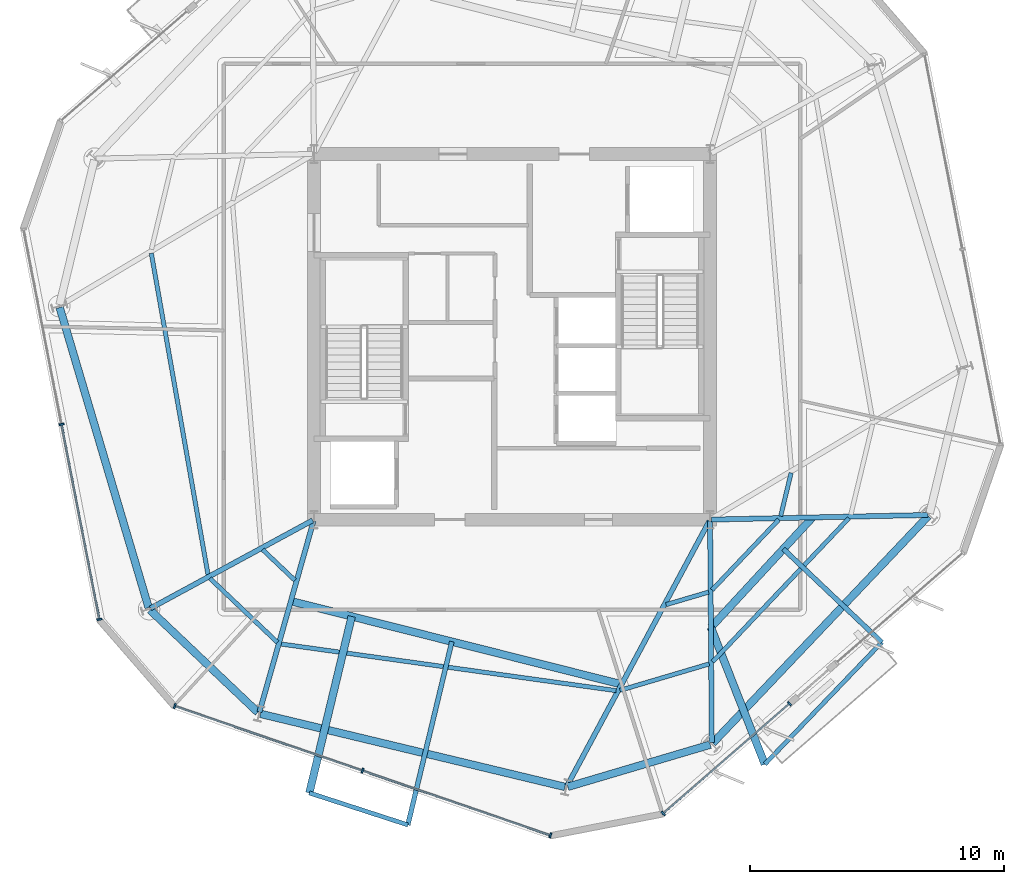
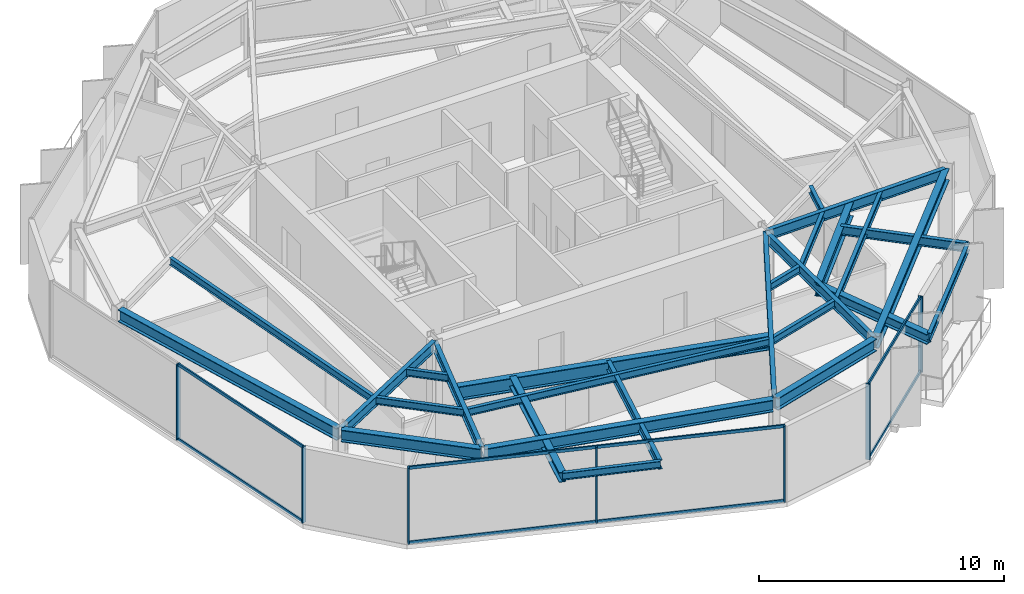
# One storey, part 2 of 11: 27 beams, 15 members, 3 elements without a shape of their own.
"""IFC4 building model written with IfcOpenShell, lengths in metres."""

from ifc_helpers import new_model, si_unit, direction, frame, origin, origin_2d, place, context, subcontext, project, spatial, rectangle, i_section, extrude, material, layer, layer_set, material_profile, profile_set, type_object, element, aggregate, save


model = new_model("IFC4")

# Units and contexts
model_context = context("Model", 3, precision=1e-05, world=origin(), true_north=direction((0.0, 1.0)))
body_context = subcontext(model_context, "Body", "Model", "MODEL_VIEW")
ifc_project = project(units=[si_unit("LENGTHUNIT", "METRE"), si_unit("AREAUNIT", "SQUARE_METRE"), si_unit("VOLUMEUNIT", "CUBIC_METRE"), si_unit("PLANEANGLEUNIT", "RADIAN"), si_unit("MASSUNIT", "GRAM", prefix="KILO")], contexts=[model_context])

# Site, building, storey
site_placement = place(None, origin())
site = spatial("IfcSite", under=ifc_project, at=site_placement, CompositionType="ELEMENT")
building_placement = place(site_placement, origin())
building = spatial("IfcBuilding", under=site, at=building_placement, Name="Kranzbogen Civic Tower", CompositionType="ELEMENT")
storey_placement = place(building_placement, frame((0.0, 0.0, 188.800048828125)))
storey = spatial("IfcBuildingStorey", under=building, at=storey_placement, Name="L45", CompositionType="ELEMENT", Elevation=188.800048828125)

# Beams
ifc_material_1 = material(Name="Steel S355", Category="steel")
ifc_material_profile_1 = material_profile(ifc_material_1, i_section(OverallWidth=0.18994140625, OverallDepth=0.449951171875, WebThickness=0.009521484375, FlangeThickness=0.0146484375, at=origin_2d()), Name="IPE 450")
ifc_profile_set_1 = profile_set([ifc_material_profile_1], Name="Steel S355")
beam_type_1 = type_object("IfcBeamType", Name="Braced Terrace Edge Beam IPE 450", PredefinedType="BEAM", material=ifc_profile_set_1)
beam_1_placement = place(storey_placement, frame((22.632080078125, 12.9951171875, 3.52490234375), z_axis=(-0.23347868336, -0.972361920489, 0.0), x_axis=(0.972361920489, -0.23347868336, 0.0)))
element("IfcBeam", 1, at=beam_1_placement, inside=storey, type_object=beam_type_1, Name="L46 back-spanned terrace beam L46-TB2-2", PredefinedType="BEAM", context=body_context, shape_type="SweptSolid", body=[
    extrude(i_section(OverallWidth=0.18994140625, OverallDepth=0.449951171875, WebThickness=0.009521484375, FlangeThickness=0.0146484375, at=origin_2d()), origin(), (0.0, 0.0, 1.0), 7.423095703125),
])
beam_2_placement = place(storey_placement, frame((35.68798828125, 16.64599609375, 3.494873046875), z_axis=(0.725309772451, -0.688422641977, 0.0), x_axis=(0.688422641977, 0.725309772451, 0.0)))
element("IfcBeam", 2, at=beam_2_placement, inside=storey, type_object=beam_type_1, Name="L46 back-spanned terrace beam L46-ST-2", PredefinedType="BEAM", context=body_context, shape_type="SweptSolid", body=[
    extrude(i_section(OverallWidth=0.18994140625, OverallDepth=0.449951171875, WebThickness=0.009521484375, FlangeThickness=0.0146484375, at=origin_2d()), origin(), (0.0, 0.0, 1.0), 5.34130859375),
])

# Curtain wall, members
ifc_material_2 = material(Name="Pale Anodised Aluminium", Category="aluminium")
ifc_layer = layer(ifc_material_2, 0.219970703125, Name="Pale Anodised Aluminium")
ifc_layer_set = layer_set([ifc_layer], Name="Pale Anodised Aluminium")
curtain_wall_type = type_object("IfcCurtainWallType", Name="Zone 3 Stick Curtain Wall System CW-04", PredefinedType="USERDEFINED", material=ifc_layer_set)
curtain_wall_1_placement = place(storey_placement, origin())
curtain_wall_1 = element("IfcCurtainWall", 3, at=curtain_wall_1_placement, inside=storey, type_object=curtain_wall_type, Name="L45 curtain wall CW-L45-F3", ObjectType="STICK CURTAIN WALL", PredefinedType="USERDEFINED")
ifc_material_profile_2 = material_profile(ifc_material_2, rectangle(XDim=0.070068359375, YDim=0.199951171875, at=origin_2d()), Name="ALU-M 70x200")
ifc_profile_set_2 = profile_set([ifc_material_profile_2], Name="Pale Anodised Aluminium")
member_type_1 = type_object("IfcMemberType", Name="Curtain Wall Mullion ALU-M 70x200", PredefinedType="MULLION", material=ifc_profile_set_2)
member_1_placement = place(storey_placement, frame((7.260498046875, 21.552001953125, 0.0), z_axis=(0.0, 0.0, 1.0), x_axis=(0.190787871215, -0.981631289333, 0.0)))
member_1 = element("IfcMember", 4, at=member_1_placement, type_object=member_type_1, Name="CW-04 mullion 2", PredefinedType="MULLION", context=body_context, shape_type="SweptSolid", body=[
    extrude(rectangle(XDim=0.070068359375, YDim=0.199951171875, at=origin_2d()), origin(), (0.0, 0.0, 1.0), 3.780029296875),
])
member_2_placement = place(storey_placement, frame((8.753173828125, 13.871337890625, 0.0), z_axis=(0.0, 0.0, 1.0), x_axis=(0.190787871215, -0.981631289333, 0.0)))
member_2 = element("IfcMember", 5, at=member_2_placement, type_object=member_type_1, Name="CW-04 mullion 3", PredefinedType="MULLION", context=body_context, shape_type="SweptSolid", body=[
    extrude(rectangle(XDim=0.070068359375, YDim=0.199951171875, at=origin_2d()), origin(), (0.0, 0.0, 1.0), 3.780029296875),
])

curtain_wall_2_placement = place(storey_placement, origin())
curtain_wall_2 = element("IfcCurtainWall", 6, at=curtain_wall_2_placement, inside=storey, type_object=curtain_wall_type, Name="L45 curtain wall CW-L45-F4", ObjectType="STICK CURTAIN WALL", PredefinedType="USERDEFINED")
member_3_placement = place(storey_placement, frame((11.719482421875, 10.460205078125, 0.0), z_axis=(0.0, 0.0, 1.0), x_axis=(0.945510919871, -0.325590387457, 0.0)))
member_3 = element("IfcMember", 7, at=member_3_placement, type_object=member_type_1, Name="CW-04 mullion 1", PredefinedType="MULLION", context=body_context, shape_type="SweptSolid", body=[
    extrude(rectangle(XDim=0.070068359375, YDim=0.199951171875, at=origin_2d()), origin(), (0.0, 0.0, 1.0), 3.780029296875),
])
member_4_placement = place(storey_placement, frame((19.116455078125, 7.9130859375, 0.0), z_axis=(0.0, 0.0, 1.0), x_axis=(0.945510919871, -0.325590387457, 0.0)))
member_4 = element("IfcMember", 8, at=member_4_placement, type_object=member_type_1, Name="CW-04 mullion 2", PredefinedType="MULLION", context=body_context, shape_type="SweptSolid", body=[
    extrude(rectangle(XDim=0.070068359375, YDim=0.199951171875, at=origin_2d()), origin(), (0.0, 0.0, 1.0), 3.780029296875),
])
member_5_placement = place(storey_placement, frame((26.513671875, 5.36572265625, 0.0), z_axis=(0.0, 0.0, 1.0), x_axis=(0.945510919871, -0.325590387457, 0.0)))
member_5 = element("IfcMember", 9, at=member_5_placement, type_object=member_type_1, Name="CW-04 mullion 3", PredefinedType="MULLION", context=body_context, shape_type="SweptSolid", body=[
    extrude(rectangle(XDim=0.070068359375, YDim=0.199951171875, at=origin_2d()), origin(), (0.0, 0.0, 1.0), 3.780029296875),
])

curtain_wall_3_placement = place(storey_placement, origin())
curtain_wall_3 = element("IfcCurtainWall", 10, at=curtain_wall_3_placement, inside=storey, type_object=curtain_wall_type, Name="L45 curtain wall CW-L45-F5-S1", ObjectType="STICK CURTAIN WALL", PredefinedType="USERDEFINED")
member_6_placement = place(storey_placement, frame((30.95166015625, 6.228759765625, 0.0), z_axis=(0.0, 0.0, 1.0), x_axis=(0.754686413094, 0.656085678773, 0.0)))
member_6 = element("IfcMember", 11, at=member_6_placement, type_object=member_type_1, Name="CW-04 mullion 1", PredefinedType="MULLION", context=body_context, shape_type="SweptSolid", body=[
    extrude(rectangle(XDim=0.070068359375, YDim=0.199951171875, at=origin_2d()), origin(), (0.0, 0.0, 1.0), 3.780029296875),
])
member_7_placement = place(storey_placement, frame((35.92724609375, 10.55419921875, 0.0), z_axis=(0.0, 0.0, 1.0), x_axis=(0.754686413094, 0.656085678773, 0.0)))
member_7 = element("IfcMember", 12, at=member_7_placement, type_object=member_type_1, Name="CW-04 mullion 2", PredefinedType="MULLION", context=body_context, shape_type="SweptSolid", body=[
    extrude(rectangle(XDim=0.070068359375, YDim=0.199951171875, at=origin_2d()), origin(), (0.0, 0.0, 1.0), 3.780029296875),
])

# Member
ifc_material_profile_3 = material_profile(ifc_material_2, rectangle(XDim=0.070068359375, YDim=0.14990234375, at=origin_2d()), Name="ALU-T 70x150")
ifc_profile_set_3 = profile_set([ifc_material_profile_3], Name="Pale Anodised Aluminium")
member_type_2 = type_object("IfcMemberType", Name="Curtain Wall Transom ALU-T 70x150", PredefinedType="USERDEFINED", material=ifc_profile_set_3)
member_8_placement = place(storey_placement, frame((7.26611328125, 21.5224609375, 0.030029296875), z_axis=(0.190804011394, -0.981628152223, 0.0), x_axis=(0.981628152223, 0.190804011394, 0.0)))
member_8 = element("IfcMember", 13, at=member_8_placement, type_object=member_type_2, Name="CW-04 transom 2.1", ObjectType="TRANSOM", PredefinedType="USERDEFINED", context=body_context, shape_type="SweptSolid", body=[
    extrude(rectangle(XDim=0.070068359375, YDim=0.14990234375, at=origin_2d()), origin(), (0.0, 0.0, 1.0), 7.76416015625),
])

member_9_placement = place(storey_placement, frame((7.26611328125, 21.5224609375, 3.75), z_axis=(0.190804011394, -0.981628152223, 0.0), x_axis=(0.981628152223, 0.190804011394, 0.0)))
member_9 = element("IfcMember", 14, at=member_9_placement, type_object=member_type_2, Name="CW-04 transom 2.2", ObjectType="TRANSOM", PredefinedType="USERDEFINED", context=body_context, shape_type="SweptSolid", body=[
    extrude(rectangle(XDim=0.070068359375, YDim=0.14990234375, at=origin_2d()), origin(), (0.0, 0.0, 1.0), 7.76416015625),
])

aggregate(curtain_wall_1, [member_1, member_2, member_8, member_9])

member_10_placement = place(storey_placement, frame((11.747802734375, 10.450439453125, 0.030029296875), z_axis=(0.945514258152, -0.325580692964, 0.0), x_axis=(0.325580692964, 0.945514258152, 0.0)))
member_10 = element("IfcMember", 15, at=member_10_placement, type_object=member_type_2, Name="CW-04 transom 1.1", ObjectType="TRANSOM", PredefinedType="USERDEFINED", context=body_context, shape_type="SweptSolid", body=[
    extrude(rectangle(XDim=0.070068359375, YDim=0.14990234375, at=origin_2d()), origin(), (0.0, 0.0, 1.0), 7.763427734375),
])

member_11_placement = place(storey_placement, frame((11.747802734375, 10.450439453125, 3.75), z_axis=(0.945514258152, -0.325580692964, 0.0), x_axis=(0.325580692964, 0.945514258152, 0.0)))
member_11 = element("IfcMember", 16, at=member_11_placement, type_object=member_type_2, Name="CW-04 transom 1.2", ObjectType="TRANSOM", PredefinedType="USERDEFINED", context=body_context, shape_type="SweptSolid", body=[
    extrude(rectangle(XDim=0.070068359375, YDim=0.14990234375, at=origin_2d()), origin(), (0.0, 0.0, 1.0), 7.763427734375),
])

member_12_placement = place(storey_placement, frame((19.144775390625, 7.9033203125, 0.030029296875), z_axis=(0.945507910821, -0.325599125574, 0.0), x_axis=(0.325599125574, 0.945507910821, 0.0)))
member_12 = element("IfcMember", 17, at=member_12_placement, type_object=member_type_2, Name="CW-04 transom 2.1", ObjectType="TRANSOM", PredefinedType="USERDEFINED", context=body_context, shape_type="SweptSolid", body=[
    extrude(rectangle(XDim=0.070068359375, YDim=0.14990234375, at=origin_2d()), origin(), (0.0, 0.0, 1.0), 7.763671875),
])

member_13_placement = place(storey_placement, frame((19.144775390625, 7.9033203125, 3.75), z_axis=(0.945507910821, -0.325599125574, 0.0), x_axis=(0.325599125574, 0.945507910821, 0.0)))
member_13 = element("IfcMember", 18, at=member_13_placement, type_object=member_type_2, Name="CW-04 transom 2.2", ObjectType="TRANSOM", PredefinedType="USERDEFINED", context=body_context, shape_type="SweptSolid", body=[
    extrude(rectangle(XDim=0.070068359375, YDim=0.14990234375, at=origin_2d()), origin(), (0.0, 0.0, 1.0), 7.763671875),
])

aggregate(curtain_wall_2, [member_3, member_4, member_5, member_10, member_11, member_12, member_13])

member_14_placement = place(storey_placement, frame((30.974365234375, 6.248291015625, 0.030029296875), z_axis=(0.754677119087, 0.656096369389, 0.0), x_axis=(-0.656096369389, 0.754677119087, 0.0)))
member_14 = element("IfcMember", 19, at=member_14_placement, type_object=member_type_2, Name="CW-04 transom 1.1", ObjectType="TRANSOM", PredefinedType="USERDEFINED", context=body_context, shape_type="SweptSolid", body=[
    extrude(rectangle(XDim=0.070068359375, YDim=0.14990234375, at=origin_2d()), origin(), (0.0, 0.0, 1.0), 6.533203125),
])

member_15_placement = place(storey_placement, frame((30.974365234375, 6.248291015625, 3.75), z_axis=(0.754677119087, 0.656096369389, 0.0), x_axis=(-0.656096369389, 0.754677119087, 0.0)))
member_15 = element("IfcMember", 20, at=member_15_placement, type_object=member_type_2, Name="CW-04 transom 1.2", ObjectType="TRANSOM", PredefinedType="USERDEFINED", context=body_context, shape_type="SweptSolid", body=[
    extrude(rectangle(XDim=0.070068359375, YDim=0.14990234375, at=origin_2d()), origin(), (0.0, 0.0, 1.0), 6.533203125),
])

aggregate(curtain_wall_3, [member_6, member_7, member_14, member_15])

# Beams
ifc_material_profile_4 = material_profile(ifc_material_1, i_section(OverallWidth=0.300048828125, OverallDepth=0.5, WebThickness=0.014404296875, FlangeThickness=0.028076171875, at=origin_2d()), Name="HEB 500")
ifc_profile_set_4 = profile_set([ifc_material_profile_4], Name="Steel S355")
beam_type_2 = type_object("IfcBeamType", Name="Perimeter Tube Spandrel Beam HEB 500", PredefinedType="SPANDREL", material=ifc_profile_set_4)
beam_3_placement = place(storey_placement, frame((18.68798828125, 13.988037109375, 3.5), z_axis=(-0.233468537852, -0.972364356521, 0.0), x_axis=(0.972364356521, -0.233468537852, 0.0)))
element("IfcBeam", 21, at=beam_3_placement, inside=storey, type_object=beam_type_2, Name="L46 back-spanned terrace beam L46-TB2-1", PredefinedType="SPANDREL", context=body_context, shape_type="SweptSolid", body=[
    extrude(i_section(OverallWidth=0.300048828125, OverallDepth=0.5, WebThickness=0.014404296875, FlangeThickness=0.028076171875, at=origin_2d()), origin(), (0.0, 0.0, 1.0), 7.1484375),
])
beam_4_placement = place(storey_placement, frame((32.83203125, 13.555908203125, 3.469970703125), z_axis=(0.366691464546, -0.930342608843, 0.0), x_axis=(0.930342608843, 0.366691464546, 0.0)))
element("IfcBeam", 22, at=beam_4_placement, inside=storey, type_object=beam_type_2, Name="L46 back-spanned terrace beam L46-ST-1", PredefinedType="SPANDREL", context=body_context, shape_type="SweptSolid", body=[
    extrude(i_section(OverallWidth=0.300048828125, OverallDepth=0.5, WebThickness=0.014404296875, FlangeThickness=0.028076171875, at=origin_2d()), origin(), (0.0, 0.0, 1.0), 5.79248046875),
])
ifc_material_profile_5 = material_profile(ifc_material_1, i_section(OverallWidth=0.300048828125, OverallDepth=0.60009765625, WebThickness=0.015380859375, FlangeThickness=0.030029296875, at=origin_2d()), Name="HEB 600")
ifc_profile_set_5 = profile_set([ifc_material_profile_5], Name="Steel S355")
beam_type_3 = type_object("IfcBeamType", Name="Perimeter Tube Spandrel Beam HEB 600", PredefinedType="SPANDREL", material=ifc_profile_set_5)
beam_5_placement = place(storey_placement, frame((10.7509765625, 14.235107421875, 3.47998046875), z_axis=(0.725245206788, -0.688490660816, 0.0), x_axis=(0.688490660816, 0.725245206788, 0.0)))
element("IfcBeam", 23, at=beam_5_placement, inside=storey, type_object=beam_type_3, Name="L45 perimeter spandrel beam 01", PredefinedType="SPANDREL", context=body_context, shape_type="SweptSolid", body=[
    extrude(i_section(OverallWidth=0.300048828125, OverallDepth=0.60009765625, WebThickness=0.015380859375, FlangeThickness=0.030029296875, at=origin_2d()), origin(), (0.0, 0.0, 1.0), 5.85205078125),
])
beam_6_placement = place(storey_placement, frame((15.096923828125, 10.15087890625, 3.47998046875), z_axis=(0.972377592092, -0.233413406637, 0.0), x_axis=(0.233413406637, 0.972377592092, 0.0)))
element("IfcBeam", 24, at=beam_6_placement, inside=storey, type_object=beam_type_3, Name="L45 perimeter spandrel beam 02", PredefinedType="SPANDREL", context=body_context, shape_type="SweptSolid", body=[
    extrude(i_section(OverallWidth=0.300048828125, OverallDepth=0.60009765625, WebThickness=0.015380859375, FlangeThickness=0.030029296875, at=origin_2d()), origin(), (0.0, 0.0, 1.0), 12.32568359375),
])
beam_7_placement = place(storey_placement, frame((27.197998046875, 7.277099609375, 3.47998046875), z_axis=(0.9588296723, 0.283981794341, 0.0), x_axis=(-0.283981794341, 0.9588296723, 0.0)))
element("IfcBeam", 25, at=beam_7_placement, inside=storey, type_object=beam_type_3, Name="L45 perimeter spandrel beam 03", PredefinedType="SPANDREL", context=body_context, shape_type="SweptSolid", body=[
    extrude(i_section(OverallWidth=0.300048828125, OverallDepth=0.60009765625, WebThickness=0.015380859375, FlangeThickness=0.030029296875, at=origin_2d()), origin(), (0.0, 0.0, 1.0), 5.85205078125),
])
beam_8_placement = place(storey_placement, frame((32.907958984375, 9.0, 3.47998046875), z_axis=(0.688373497874, 0.725356414065, 0.0), x_axis=(-0.725356414065, 0.688373497874, 0.0)))
element("IfcBeam", 26, at=beam_8_placement, inside=storey, type_object=beam_type_3, Name="L45 perimeter spandrel beam 04", PredefinedType="SPANDREL", context=body_context, shape_type="SweptSolid", body=[
    extrude(i_section(OverallWidth=0.300048828125, OverallDepth=0.60009765625, WebThickness=0.015380859375, FlangeThickness=0.030029296875, at=origin_2d()), origin(), (0.0, 0.0, 1.0), 12.324951171875),
])
beam_9_placement = place(storey_placement, frame((7.18896484375, 26.15087890625, 3.47998046875), z_axis=(0.284064048956, -0.958805306666, 0.0), x_axis=(0.958805306666, 0.284064048956, 0.0)))
element("IfcBeam", 27, at=beam_9_placement, inside=storey, type_object=beam_type_3, Name="L45 perimeter spandrel beam 12", PredefinedType="SPANDREL", context=body_context, shape_type="SweptSolid", body=[
    extrude(i_section(OverallWidth=0.300048828125, OverallDepth=0.60009765625, WebThickness=0.015380859375, FlangeThickness=0.030029296875, at=origin_2d()), origin(), (0.0, 0.0, 1.0), 12.32470703125),
])
ifc_material_profile_6 = material_profile(ifc_material_1, i_section(OverallWidth=0.300048828125, OverallDepth=0.699951171875, WebThickness=0.01708984375, FlangeThickness=0.031982421875, at=origin_2d()), Name="HEB 700")
ifc_profile_set_6 = profile_set([ifc_material_profile_6], Name="Steel S355")
beam_type_4 = type_object("IfcBeamType", Name="Perimeter Tube Spandrel Beam HEB 700", PredefinedType="SPANDREL", material=ifc_profile_set_6)
beam_10_placement = place(storey_placement, frame((16.2919921875, 14.591064453125, 3.39990234375), z_axis=(0.969754167823, -0.244083702834, 0.0), x_axis=(0.244083702834, 0.969754167823, 0.0)))
element("IfcBeam", 28, at=beam_10_placement, inside=storey, type_object=beam_type_4, Name="L46 balcony back-span header girder L46-TB2", PredefinedType="SPANDREL", context=body_context, shape_type="SweptSolid", body=[
    extrude(i_section(OverallWidth=0.300048828125, OverallDepth=0.699951171875, WebThickness=0.01708984375, FlangeThickness=0.031982421875, at=origin_2d()), origin(), (0.0, 0.0, 1.0), 13.43017578125),
])
beam_11_placement = place(storey_placement, frame((32.83203125, 13.555908203125, 3.369873046875), z_axis=(0.678733988671, 0.734384213218, 0.0), x_axis=(-0.734384213218, 0.678733988671, 0.0)))
element("IfcBeam", 29, at=beam_11_placement, inside=storey, type_object=beam_type_4, Name="L46 balcony back-span header girder L46-ST", PredefinedType="SPANDREL", context=body_context, shape_type="SweptSolid", body=[
    extrude(i_section(OverallWidth=0.300048828125, OverallDepth=0.699951171875, WebThickness=0.01708984375, FlangeThickness=0.031982421875, at=origin_2d()), origin(), (0.0, 0.0, 1.0), 5.896240234375),
])
ifc_material_profile_7 = material_profile(ifc_material_1, i_section(OverallWidth=0.199951171875, OverallDepth=0.5, WebThickness=0.01025390625, FlangeThickness=0.01611328125, at=origin_2d()), Name="IPE 500")
ifc_profile_set_7 = profile_set([ifc_material_profile_7], Name="Steel S355")
beam_type_5 = type_object("IfcBeamType", Name="Radial Tower Floor Girder IPE 500", PredefinedType="BEAM", material=ifc_profile_set_7)
beam_12_placement = place(storey_placement, frame((10.760009765625, 14.304931640625, 3.530029296875), z_axis=(0.878919430102, 0.476970266777, 0.0), x_axis=(-0.476970266777, 0.878919430102, 0.0)))
element("IfcBeam", 30, at=beam_12_placement, inside=storey, type_object=beam_type_5, Name="L45 radial floor girder 01", PredefinedType="BEAM", context=body_context, shape_type="SweptSolid", body=[
    extrude(i_section(OverallWidth=0.199951171875, OverallDepth=0.5, WebThickness=0.01025390625, FlangeThickness=0.01611328125, at=origin_2d()), origin(), (0.0, 0.0, 1.0), 7.266845703125),
])
beam_13_placement = place(storey_placement, frame((15.054931640625, 10.222900390625, 3.530029296875), z_axis=(0.272455078988, 0.962168503919, 0.0), x_axis=(-0.962168503919, 0.272455078988, 0.0)))
element("IfcBeam", 31, at=beam_13_placement, inside=storey, type_object=beam_type_5, Name="L45 radial floor girder 02", PredefinedType="BEAM", context=body_context, shape_type="SweptSolid", body=[
    extrude(i_section(OverallWidth=0.199951171875, OverallDepth=0.5, WebThickness=0.01025390625, FlangeThickness=0.01611328125, at=origin_2d()), origin(), (0.0, 0.0, 1.0), 7.814697265625),
])
beam_14_placement = place(storey_placement, frame((27.16796875, 7.31298828125, 3.530029296875), z_axis=(0.473160413549, 0.880976289721, 0.0), x_axis=(-0.880976289721, 0.473160413549, 0.0)))
element("IfcBeam", 32, at=beam_14_placement, inside=storey, type_object=beam_type_5, Name="L45 radial floor girder 03", PredefinedType="BEAM", context=body_context, shape_type="SweptSolid", body=[
    extrude(i_section(OverallWidth=0.199951171875, OverallDepth=0.5, WebThickness=0.01025390625, FlangeThickness=0.01611328125, at=origin_2d()), origin(), (0.0, 0.0, 1.0), 11.84375),
])
beam_15_placement = place(storey_placement, frame((32.866943359375, 9.01611328125, 3.530029296875), z_axis=(-0.007667756557, 0.999970602323, 0.0), x_axis=(-0.999970602323, -0.007667756557, 0.0)))
element("IfcBeam", 33, at=beam_15_placement, inside=storey, type_object=beam_type_5, Name="L45 radial floor girder 04", PredefinedType="BEAM", context=body_context, shape_type="SweptSolid", body=[
    extrude(i_section(OverallWidth=0.199951171875, OverallDepth=0.5, WebThickness=0.01025390625, FlangeThickness=0.01611328125, at=origin_2d()), origin(), (0.0, 0.0, 1.0), 8.72412109375),
])
beam_16_placement = place(storey_placement, frame((41.373046875, 17.98291015625, 3.530029296875), z_axis=(-0.99977183191, -0.021360808018, 0.0), x_axis=(0.021360808018, -0.99977183191, 0.0)))
element("IfcBeam", 34, at=beam_16_placement, inside=storey, type_object=beam_type_5, Name="L45 radial floor girder 05", PredefinedType="BEAM", context=body_context, shape_type="SweptSolid", body=[
    extrude(i_section(OverallWidth=0.199951171875, OverallDepth=0.5, WebThickness=0.01025390625, FlangeThickness=0.01611328125, at=origin_2d()), origin(), (0.0, 0.0, 1.0), 8.514892578125),
])
ifc_material_profile_8 = material_profile(ifc_material_1, i_section(OverallWidth=0.169921875, OverallDepth=0.360107421875, WebThickness=0.008056640625, FlangeThickness=0.0126953125, at=origin_2d()), Name="IPE 360")
ifc_profile_set_8 = profile_set([ifc_material_profile_8], Name="Steel S355")
beam_type_6 = type_object("IfcBeamType", Name="Secondary Composite Floor Joist IPE 360", PredefinedType="JOIST", material=ifc_profile_set_8)
beam_17_placement = place(storey_placement, frame((13.10302734375, 15.489990234375, 3.599853515625), z_axis=(0.725300648604, -0.688432254572, 0.0), x_axis=(0.688432254572, 0.725300648604, 0.0)))
element("IfcBeam", 35, at=beam_17_placement, inside=storey, type_object=beam_type_6, Name="L45 secondary floor joist 1.01", PredefinedType="JOIST", context=body_context, shape_type="SweptSolid", body=[
    extrude(i_section(OverallWidth=0.169921875, OverallDepth=0.360107421875, WebThickness=0.008056640625, FlangeThickness=0.0126953125, at=origin_2d()), origin(), (0.0, 0.0, 1.0), 3.661865234375),
])
beam_18_placement = place(storey_placement, frame((15.179931640625, 16.616943359375, 3.599853515625), z_axis=(0.725479767774, -0.688243493649, 0.0), x_axis=(0.688243493649, 0.725479767774, 0.0)))
element("IfcBeam", 36, at=beam_18_placement, inside=storey, type_object=beam_type_6, Name="L45 secondary floor joist 2.01", PredefinedType="JOIST", context=body_context, shape_type="SweptSolid", body=[
    extrude(i_section(OverallWidth=0.169921875, OverallDepth=0.360107421875, WebThickness=0.008056640625, FlangeThickness=0.0126953125, at=origin_2d()), origin(), (0.0, 0.0, 1.0), 1.75048828125),
])
beam_19_placement = place(storey_placement, frame((15.89599609375, 12.903076171875, 3.599853515625), z_axis=(0.990445837232, -0.137902296968, 0.0), x_axis=(0.137902296968, 0.990445837232, 0.0)))
element("IfcBeam", 37, at=beam_19_placement, inside=storey, type_object=beam_type_6, Name="L45 secondary floor joist 1.02", PredefinedType="JOIST", context=body_context, shape_type="SweptSolid", body=[
    extrude(i_section(OverallWidth=0.169921875, OverallDepth=0.360107421875, WebThickness=0.008056640625, FlangeThickness=0.0126953125, at=origin_2d()), origin(), (0.0, 0.0, 1.0), 13.329345703125),
])
beam_20_placement = place(storey_placement, frame((29.25390625, 11.076904296875, 3.599853515625), z_axis=(0.958843823165, 0.283934011309, 0.0), x_axis=(-0.283934011309, 0.958843823165, 0.0)))
element("IfcBeam", 38, at=beam_20_placement, inside=storey, type_object=beam_type_6, Name="L45 secondary floor joist 1.03", PredefinedType="JOIST", context=body_context, shape_type="SweptSolid", body=[
    extrude(i_section(OverallWidth=0.169921875, OverallDepth=0.360107421875, WebThickness=0.008056640625, FlangeThickness=0.0126953125, at=origin_2d()), origin(), (0.0, 0.0, 1.0), 3.662841796875),
])
beam_21_placement = place(storey_placement, frame((31.06591796875, 14.449951171875, 3.599853515625), z_axis=(0.958871214757, 0.283841493638, 0.0), x_axis=(-0.283841493638, 0.958871214757, 0.0)))
element("IfcBeam", 39, at=beam_21_placement, inside=storey, type_object=beam_type_6, Name="L45 secondary floor joist 2.03", PredefinedType="JOIST", context=body_context, shape_type="SweptSolid", body=[
    extrude(i_section(OverallWidth=0.169921875, OverallDepth=0.360107421875, WebThickness=0.008056640625, FlangeThickness=0.0126953125, at=origin_2d()), origin(), (0.0, 0.0, 1.0), 1.751220703125),
])
beam_22_placement = place(storey_placement, frame((32.89794921875, 12.197998046875, 3.599853515625), z_axis=(0.688282381634, 0.725442873789, 0.0), x_axis=(-0.725442873789, 0.688282381634, 0.0)))
element("IfcBeam", 40, at=beam_22_placement, inside=storey, type_object=beam_type_6, Name="L45 secondary floor joist 1.04", PredefinedType="JOIST", context=body_context, shape_type="SweptSolid", body=[
    extrude(i_section(OverallWidth=0.169921875, OverallDepth=0.360107421875, WebThickness=0.008056640625, FlangeThickness=0.0126953125, at=origin_2d()), origin(), (0.0, 0.0, 1.0), 7.804931640625),
])
beam_23_placement = place(storey_placement, frame((32.876953125, 15.028076171875, 3.599853515625), z_axis=(0.688175084876, 0.725544659243, 0.0), x_axis=(-0.725544659243, 0.688175084876, 0.0)))
element("IfcBeam", 41, at=beam_23_placement, inside=storey, type_object=beam_type_6, Name="L45 secondary floor joist 2.04", PredefinedType="JOIST", context=body_context, shape_type="SweptSolid", body=[
    extrude(i_section(OverallWidth=0.169921875, OverallDepth=0.360107421875, WebThickness=0.008056640625, FlangeThickness=0.0126953125, at=origin_2d()), origin(), (0.0, 0.0, 1.0), 3.82177734375),
])
beam_24_placement = place(storey_placement, frame((35.5810546875, 17.93701171875, 3.599853515625), z_axis=(0.233631438607, 0.972325228972, 0.0), x_axis=(-0.972325228972, 0.233631438607, 0.0)))
element("IfcBeam", 42, at=beam_24_placement, inside=storey, type_object=beam_type_6, Name="L45 secondary floor joist 2.05", PredefinedType="JOIST", context=body_context, shape_type="SweptSolid", body=[
    extrude(i_section(OverallWidth=0.169921875, OverallDepth=0.360107421875, WebThickness=0.008056640625, FlangeThickness=0.0126953125, at=origin_2d()), origin(), (0.0, 0.0, 1.0), 1.750244140625),
])
beam_25_placement = place(storey_placement, frame((10.7958984375, 28.287109375, 3.599853515625), z_axis=(0.173805911364, -0.984779927281, 0.0), x_axis=(0.984779927281, 0.173805911364, 0.0)))
element("IfcBeam", 43, at=beam_25_placement, inside=storey, type_object=beam_type_6, Name="L45 secondary floor joist 1.12", PredefinedType="JOIST", context=body_context, shape_type="SweptSolid", body=[
    extrude(i_section(OverallWidth=0.169921875, OverallDepth=0.360107421875, WebThickness=0.008056640625, FlangeThickness=0.0126953125, at=origin_2d()), origin(), (0.0, 0.0, 1.0), 12.85986328125),
])
beam_26_placement = place(storey_placement, frame((17.01904296875, 7.037109375, 3.570068359375), z_axis=(0.951102655543, -0.308874956283, 0.0), x_axis=(0.308874956283, 0.951102655543, 0.0)))
element("IfcBeam", 44, at=beam_26_placement, inside=storey, type_object=beam_type_6, Name="L46 terrace outer edge trimmer L46-TB2", PredefinedType="JOIST", context=body_context, shape_type="SweptSolid", body=[
    extrude(i_section(OverallWidth=0.169921875, OverallDepth=0.360107421875, WebThickness=0.008056640625, FlangeThickness=0.0126953125, at=origin_2d()), origin(), (0.0, 0.0, 1.0), 4.079345703125),
])
beam_27_placement = place(storey_placement, frame((34.9560546875, 8.1669921875, 3.5400390625), z_axis=(0.692221673754, 0.721684941221, 0.0), x_axis=(-0.721684941221, 0.692221673754, 0.0)))
element("IfcBeam", 45, at=beam_27_placement, inside=storey, type_object=beam_type_6, Name="L46 terrace outer edge trimmer L46-ST", PredefinedType="JOIST", context=body_context, shape_type="SweptSolid", body=[
    extrude(i_section(OverallWidth=0.169921875, OverallDepth=0.360107421875, WebThickness=0.008056640625, FlangeThickness=0.0126953125, at=origin_2d()), origin(), (0.0, 0.0, 1.0), 6.65380859375),
])

save(model, "model.ifc")
